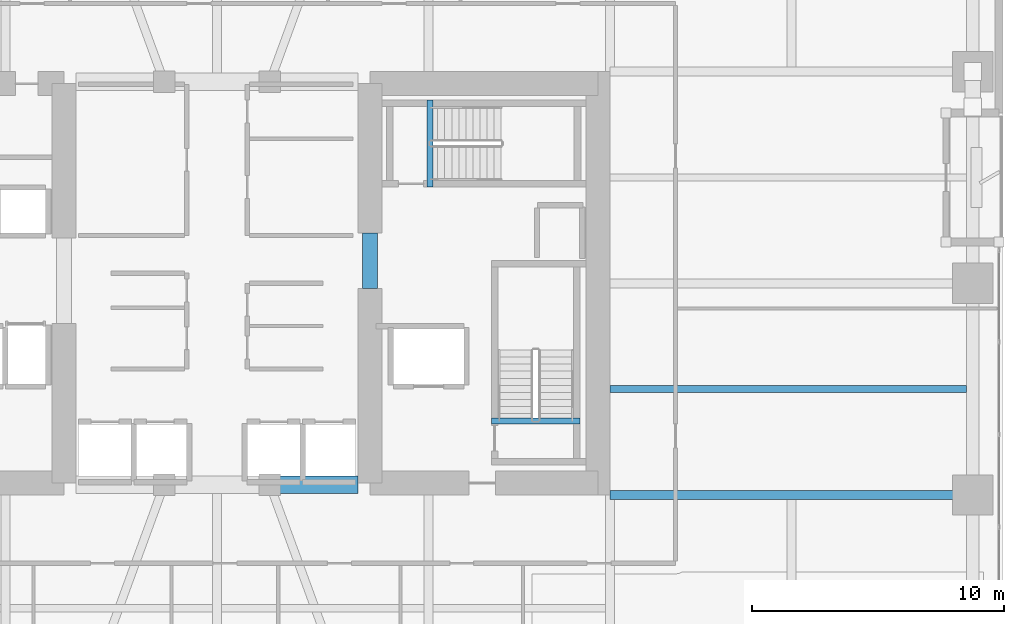
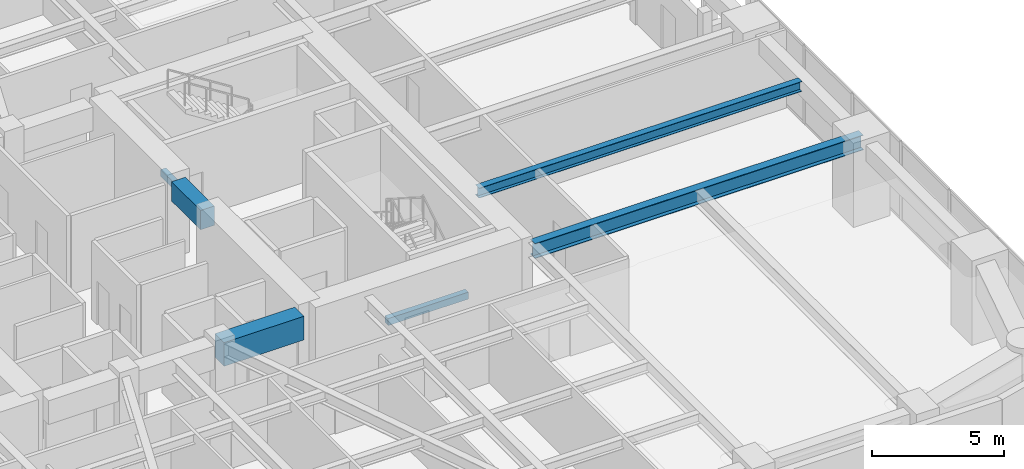
# One storey, part 7 of 29: 6 beams.
"""IFC4 building model written with IfcOpenShell, lengths in metres."""

from ifc_helpers import new_model, si_unit, direction, frame, origin, origin_2d, place, context, subcontext, project, spatial, rectangle, i_section, extrude, material, material_profile, profile_set, type_object, element, save


model = new_model("IFC4")

# Units and contexts
model_context = context("Model", 3, precision=1e-05, world=origin(), true_north=direction((0.0, 1.0)))
body_context = subcontext(model_context, "Body", "Model", "MODEL_VIEW")
ifc_project = project(units=[si_unit("LENGTHUNIT", "METRE"), si_unit("AREAUNIT", "SQUARE_METRE"), si_unit("VOLUMEUNIT", "CUBIC_METRE"), si_unit("PLANEANGLEUNIT", "RADIAN"), si_unit("MASSUNIT", "GRAM", prefix="KILO")], contexts=[model_context])

# Site, building, storey
site_placement = place(None, origin())
site = spatial("IfcSite", under=ifc_project, at=site_placement, CompositionType="ELEMENT")
building_placement = place(site_placement, origin())
building = spatial("IfcBuilding", under=site, at=building_placement, Name="Kiyonajd Concourse Tower", CompositionType="ELEMENT")
storey_placement = place(building_placement, frame((0.0, 0.0, 45.0)))
storey = spatial("IfcBuildingStorey", under=building, at=storey_placement, Name="L12", CompositionType="ELEMENT", Elevation=45.0)

# Beams
ifc_material_1 = material(Name="Concrete C70/85", Category="concrete")
ifc_material_profile_1 = material_profile(ifc_material_1, rectangle(XDim=0.699951171875, YDim=1.10009765625, at=origin_2d()), Name="RCBM-700x1100")
ifc_profile_set_1 = profile_set([ifc_material_profile_1], Name="Concrete C70/85")
beam_type_1 = type_object("IfcBeamType", Name="BM-COUP-1100", PredefinedType="LINTEL", material=ifc_profile_set_1)
beam_1_placement = place(storey_placement, frame((50.10009765625, 28.0, 3.090087890625), z_axis=(1.0, 0.0, 0.0), x_axis=(0.0, 1.0, 0.0)))
element("IfcBeam", 1, at=beam_1_placement, inside=storey, type_object=beam_type_1, Name="L12 Core Coupling Beam S3", PredefinedType="LINTEL", context=body_context, shape_type="SweptSolid", body=[
    extrude(rectangle(XDim=0.699951171875, YDim=1.10009765625, at=origin_2d()), origin(), (0.0, 0.0, 1.0), 3.5),
])
ifc_material_2 = material(Name="Concrete C60/75", Category="concrete")
ifc_material_profile_2 = material_profile(ifc_material_2, rectangle(XDim=0.60009765625, YDim=0.89990234375, at=origin_2d()), Name="RCBM-600x900")
ifc_profile_set_2 = profile_set([ifc_material_profile_2], Name="Concrete C60/75")
beam_type_2 = type_object("IfcBeamType", Name="BM-COUP-900", PredefinedType="LINTEL", material=ifc_profile_set_2)
beam_2_placement = place(storey_placement, frame((54.074951171875, 35.800048828125, 3.090087890625), z_axis=(0.0, 1.0, 0.0), x_axis=(-1.0, 0.0, 0.0)))
element("IfcBeam", 2, at=beam_2_placement, inside=storey, type_object=beam_type_2, Name="L12 East Core Throat Coupling Lintel", PredefinedType="LINTEL", context=body_context, shape_type="SweptSolid", body=[
    extrude(rectangle(XDim=0.60009765625, YDim=0.89990234375, at=origin_2d()), origin(), (0.0, 0.0, 1.0), 2.199951171875),
])
ifc_material_3 = material(Name="Steel ASTM A992 Grade 50", Category="steel")
ifc_material_profile_3 = material_profile(ifc_material_3, i_section(OverallWidth=0.280029296875, OverallDepth=0.462890625, WebThickness=0.0107421875, FlangeThickness=0.017333984375, at=origin_2d()), Name="W460X113")
ifc_profile_set_3 = profile_set([ifc_material_profile_3], Name="Steel ASTM A992 Grade 50")
beam_type_3 = type_object("IfcBeamType", Name="BM-JST-460A", PredefinedType="JOIST", material=ifc_profile_set_3)
beam_3_placement = place(storey_placement, frame((63.60009765625, 31.800048828125, 3.408447265625), z_axis=(1.0, 0.0, 0.0), x_axis=(0.0, 1.0, 0.0)))
element("IfcBeam", 3, at=beam_3_placement, inside=storey, type_object=beam_type_3, Name="L12 East Secondary Floor Joist", PredefinedType="JOIST", context=body_context, shape_type="SweptSolid", body=[
    extrude(i_section(OverallWidth=0.280029296875, OverallDepth=0.462890625, WebThickness=0.0107421875, FlangeThickness=0.017333984375, at=origin_2d()), origin(), (0.0, 0.0, 1.0), 14.14990234375),
])
ifc_material_4 = material(Name="Concrete C50/60", Category="concrete")
ifc_material_profile_4 = material_profile(ifc_material_4, rectangle(XDim=0.239990234375, YDim=0.320068359375, at=origin_2d()), Name="RCBM-240x320")
ifc_profile_set_4 = profile_set([ifc_material_profile_4], Name="Concrete C50/60")
beam_type_4 = type_object("IfcBeamType", Name="BM-LNT-250", PredefinedType="LINTEL", material=ifc_profile_set_4)
beam_4_placement = place(storey_placement, frame((58.889892578125, 30.530029296875, -0.159912109375), z_axis=(1.0, 0.0, 0.0), x_axis=(0.0, 1.0, 0.0)))
element("IfcBeam", 4, at=beam_4_placement, inside=storey, type_object=beam_type_4, Name="L12 Stair ST2 Threshold Support Beam", PredefinedType="LINTEL", context=body_context, shape_type="SweptSolid", body=[
    extrude(rectangle(XDim=0.239990234375, YDim=0.320068359375, at=origin_2d()), origin(), (0.0, 0.0, 1.0), 3.52001953125),
])
beam_5_placement = place(storey_placement, frame((56.4599609375, 39.820068359375, -0.159912109375), z_axis=(0.0, 1.0, 0.0), x_axis=(-1.0, 0.0, 0.0)))
element("IfcBeam", 5, at=beam_5_placement, inside=storey, type_object=beam_type_4, Name="L12 Stair ST3 Threshold Support Beam", PredefinedType="LINTEL", context=body_context, shape_type="SweptSolid", body=[
    extrude(rectangle(XDim=0.239990234375, YDim=0.320068359375, at=origin_2d()), origin(), (0.0, 0.0, 1.0), 3.4599609375),
])
ifc_material_profile_5 = material_profile(ifc_material_3, i_section(OverallWidth=0.35498046875, OverallDepth=0.695068359375, WebThickness=0.015380859375, FlangeThickness=0.02490234375, at=origin_2d()), Name="W690X217")
ifc_profile_set_5 = profile_set([ifc_material_profile_5], Name="Steel ASTM A992 Grade 50")
beam_type_5 = type_object("IfcBeamType", Name="BM-TWR-690", PredefinedType="BEAM", material=ifc_profile_set_5)
beam_6_placement = place(storey_placement, frame((63.60009765625, 27.60009765625, 3.29248046875), z_axis=(1.0, 0.0, 0.0), x_axis=(0.0, 1.0, 0.0)))
element("IfcBeam", 6, at=beam_6_placement, inside=storey, type_object=beam_type_5, Name="L12 East Lease Girder", PredefinedType="BEAM", context=body_context, shape_type="SweptSolid", body=[
    extrude(i_section(OverallWidth=0.35498046875, OverallDepth=0.695068359375, WebThickness=0.015380859375, FlangeThickness=0.02490234375, at=origin_2d()), origin(), (0.0, 0.0, 1.0), 14.39990234375),
])

save(model, "model.ifc")
